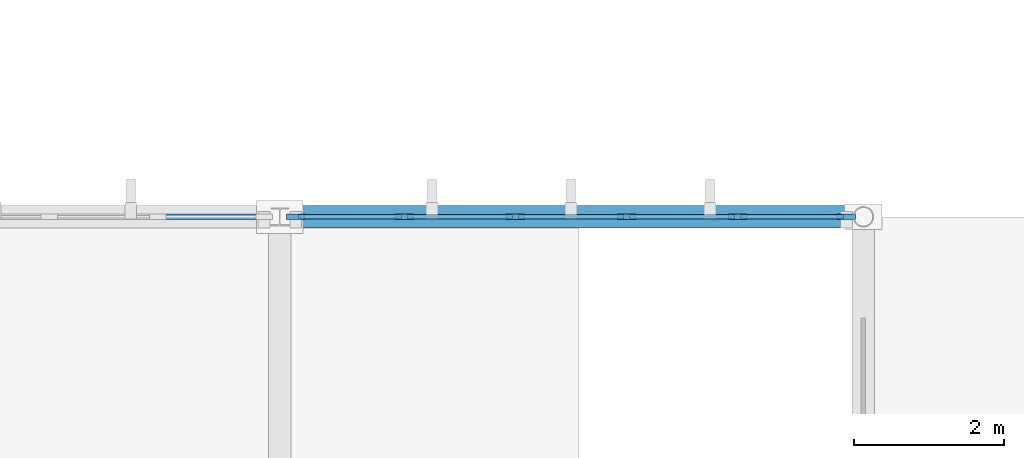
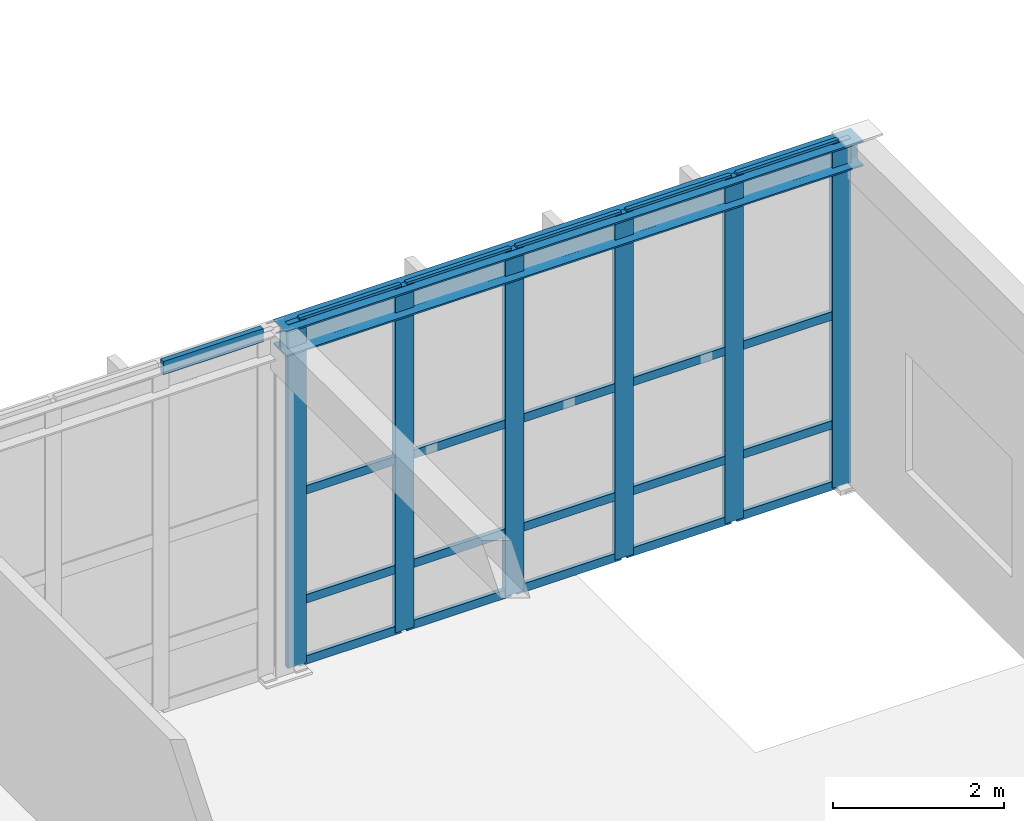
# One storey, part 45 of 110: 27 members, 1 beam, 2 elements without a shape of their own.
"""IFC4 building model written with IfcOpenShell, lengths in metres."""

from ifc_helpers import new_model, si_unit, direction, frame, origin, origin_2d, place, context, subcontext, project, spatial, rectangle, i_section, extrude, material, material_profile, profile_set, type_object, element, aggregate, save


model = new_model("IFC4")

# Units and contexts
model_context = context("Model", 3, precision=1e-05, world=origin(), true_north=direction((0.0, 1.0)))
body_context = subcontext(model_context, "Body", "Model", "MODEL_VIEW")
ifc_project = project(units=[si_unit("LENGTHUNIT", "METRE"), si_unit("AREAUNIT", "SQUARE_METRE"), si_unit("VOLUMEUNIT", "CUBIC_METRE"), si_unit("PLANEANGLEUNIT", "RADIAN"), si_unit("MASSUNIT", "GRAM", prefix="KILO")], contexts=[model_context])

# Site, building, storey
site_placement = place(None, origin())
site = spatial("IfcSite", under=ifc_project, at=site_placement, CompositionType="ELEMENT")
building_placement = place(site_placement, origin())
building = spatial("IfcBuilding", under=site, at=building_placement, Name="Tizgana Railside Sports Hall", CompositionType="ELEMENT")
storey_placement = place(building_placement, origin())
storey = spatial("IfcBuildingStorey", under=building, at=storey_placement, Name="L00", CompositionType="ELEMENT", Elevation=0.0)

# Curtain wall, members
ifc_material_1 = material(Name="Anodised aluminium and glass", Category="aluminium")
curtain_wall_type_1 = type_object("IfcCurtainWallType", Name="Unitised Curtain Wall Passage 1800", PredefinedType="NOTDEFINED", material=ifc_material_1)
curtain_wall_1_placement = place(storey_placement, origin())
curtain_wall_1 = element("IfcCurtainWall", 1, at=curtain_wall_1_placement, inside=storey, type_object=curtain_wall_type_1, Name="L00 Curtain Wall CW-0149", PredefinedType="NOTDEFINED")
ifc_material_2 = material(Name="Anodised aluminium", Category="aluminium")
ifc_material_profile_1 = material_profile(ifc_material_2, rectangle(XDim=0.074951171875, YDim=0.25, at=origin_2d()), Name="Mullion 75x250")
ifc_profile_set_1 = profile_set([ifc_material_profile_1], Name="Anodised aluminium")
member_type_1 = type_object("IfcMemberType", Name="Mullion 75x250", PredefinedType="MULLION", material=ifc_profile_set_1)
member_1_placement = place(storey_placement, frame((23.612548828125, 98.39990234375, 0.044921875), z_axis=(0.0, 0.0, 1.0), x_axis=(0.0, 1.0, 0.0)))
member_1 = element("IfcMember", 2, at=member_1_placement, type_object=member_type_1, Name="CW-06 mullion 1", PredefinedType="MULLION", context=body_context, shape_type="SweptSolid", body=[
    extrude(rectangle(XDim=0.074951171875, YDim=0.25, at=origin_2d()), origin(), (0.0, 0.0, 1.0), 4.9150390625),
])
member_2_placement = place(storey_placement, frame((25.061767578125, 98.39990234375, 0.044921875), z_axis=(0.0, 0.0, 1.0), x_axis=(0.0, 1.0, 0.0)))
member_2 = element("IfcMember", 3, at=member_2_placement, type_object=member_type_1, Name="CW-06 mullion 2", PredefinedType="MULLION", context=body_context, shape_type="SweptSolid", body=[
    extrude(rectangle(XDim=0.074951171875, YDim=0.25, at=origin_2d()), origin(), (0.0, 0.0, 1.0), 4.9150390625),
])
member_3_placement = place(storey_placement, frame((26.54833984375, 98.39990234375, 0.044921875), z_axis=(0.0, 0.0, 1.0), x_axis=(0.0, 1.0, 0.0)))
member_3 = element("IfcMember", 4, at=member_3_placement, type_object=member_type_1, Name="CW-06 mullion 3", PredefinedType="MULLION", context=body_context, shape_type="SweptSolid", body=[
    extrude(rectangle(XDim=0.074951171875, YDim=0.25, at=origin_2d()), origin(), (0.0, 0.0, 1.0), 4.9150390625),
])
member_4_placement = place(storey_placement, frame((28.03515625, 98.39990234375, 0.044921875), z_axis=(0.0, 0.0, 1.0), x_axis=(0.0, 1.0, 0.0)))
member_4 = element("IfcMember", 5, at=member_4_placement, type_object=member_type_1, Name="CW-06 mullion 4", PredefinedType="MULLION", context=body_context, shape_type="SweptSolid", body=[
    extrude(rectangle(XDim=0.074951171875, YDim=0.25, at=origin_2d()), origin(), (0.0, 0.0, 1.0), 4.9150390625),
])
member_5_placement = place(storey_placement, frame((29.521728515625, 98.39990234375, 0.044921875), z_axis=(0.0, 0.0, 1.0), x_axis=(0.0, 1.0, 0.0)))
member_5 = element("IfcMember", 6, at=member_5_placement, type_object=member_type_1, Name="CW-06 mullion 5", PredefinedType="MULLION", context=body_context, shape_type="SweptSolid", body=[
    extrude(rectangle(XDim=0.074951171875, YDim=0.25, at=origin_2d()), origin(), (0.0, 0.0, 1.0), 4.9150390625),
])
member_6_placement = place(storey_placement, frame((30.970947265625, 98.39990234375, 0.044921875), z_axis=(0.0, 0.0, 1.0), x_axis=(0.0, 1.0, 0.0)))
member_6 = element("IfcMember", 7, at=member_6_placement, type_object=member_type_1, Name="CW-06 mullion 6", PredefinedType="MULLION", context=body_context, shape_type="SweptSolid", body=[
    extrude(rectangle(XDim=0.074951171875, YDim=0.25, at=origin_2d()), origin(), (0.0, 0.0, 1.0), 4.9150390625),
])

# Beam
ifc_material_3 = material(Name="Steel S355J2", Category="steel")
ifc_material_profile_2 = material_profile(ifc_material_3, i_section(OverallWidth=0.300048828125, OverallDepth=0.360107421875, WebThickness=0.012451171875, FlangeThickness=0.0224609375, FilletRadius=0.027099609375, at=origin_2d()), Name="HEB 360")
ifc_profile_set_2 = profile_set([ifc_material_profile_2], Name="Steel S355J2")
beam_type = type_object("IfcBeamType", Name="Steel Beam HEB 360", PredefinedType="BEAM", material=ifc_profile_set_2)
beam_placement = place(storey_placement, frame((23.39990234375, 98.39990234375, 4.77587890625), z_axis=(1.0, 0.0, 0.0), x_axis=(0.0, 1.0, 0.0)))
element("IfcBeam", 8, at=beam_placement, inside=storey, type_object=beam_type, Name="L00 BEM-1327", PredefinedType="BEAM", context=body_context, shape_type="SweptSolid", body=[
    extrude(i_section(OverallWidth=0.300048828125, OverallDepth=0.360107421875, WebThickness=0.012451171875, FlangeThickness=0.0224609375, FilletRadius=0.027099609375, at=origin_2d()), origin(), (0.0, 0.0, 1.0), 7.800048828125),
])

# Member
ifc_material_profile_3 = material_profile(ifc_material_2, rectangle(XDim=0.054931640625, YDim=0.1201171875, at=origin_2d()), Name="Transom 55x120")
ifc_profile_set_3 = profile_set([ifc_material_profile_3], Name="Anodised aluminium")
member_type_2 = type_object("IfcMemberType", Name="Transom 55x120", PredefinedType="USERDEFINED", material=ifc_profile_set_3)
member_7_placement = place(storey_placement, frame((23.64990234375, 98.39990234375, 0.072509765625), z_axis=(1.0, 0.0, 0.0), x_axis=(0.0, 1.0, 0.0)))
member_7 = element("IfcMember", 9, at=member_7_placement, type_object=member_type_2, Name="CW-06 transom 1.1", ObjectType="TRANSOM", PredefinedType="USERDEFINED", context=body_context, shape_type="SweptSolid", body=[
    extrude(rectangle(XDim=0.054931640625, YDim=0.1201171875, at=origin_2d()), origin(), (0.0, 0.0, 1.0), 1.374267578125),
])

member_8_placement = place(storey_placement, frame((23.64990234375, 98.39990234375, 0.945068359375), z_axis=(1.0, 0.0, 0.0), x_axis=(0.0, 1.0, 0.0)))
member_8 = element("IfcMember", 10, at=member_8_placement, type_object=member_type_2, Name="CW-06 transom 1.2", ObjectType="TRANSOM", PredefinedType="USERDEFINED", context=body_context, shape_type="SweptSolid", body=[
    extrude(rectangle(XDim=0.054931640625, YDim=0.1201171875, at=origin_2d()), origin(), (0.0, 0.0, 1.0), 1.374267578125),
])

member_9_placement = place(storey_placement, frame((23.64990234375, 98.39990234375, 2.50244140625), z_axis=(1.0, 0.0, 0.0), x_axis=(0.0, 1.0, 0.0)))
member_9 = element("IfcMember", 11, at=member_9_placement, type_object=member_type_2, Name="CW-06 transom 1.3", ObjectType="TRANSOM", PredefinedType="USERDEFINED", context=body_context, shape_type="SweptSolid", body=[
    extrude(rectangle(XDim=0.054931640625, YDim=0.1201171875, at=origin_2d()), origin(), (0.0, 0.0, 1.0), 1.374267578125),
])

member_10_placement = place(storey_placement, frame((23.64990234375, 98.39990234375, 4.9326171875), z_axis=(1.0, 0.0, 0.0), x_axis=(0.0, 1.0, 0.0)))
member_10 = element("IfcMember", 12, at=member_10_placement, type_object=member_type_2, Name="CW-06 transom 1.4", ObjectType="TRANSOM", PredefinedType="USERDEFINED", context=body_context, shape_type="SweptSolid", body=[
    extrude(rectangle(XDim=0.054931640625, YDim=0.1201171875, at=origin_2d()), origin(), (0.0, 0.0, 1.0), 1.374267578125),
])

member_11_placement = place(storey_placement, frame((25.09912109375, 98.39990234375, 0.072509765625), z_axis=(1.0, 0.0, 0.0), x_axis=(0.0, 1.0, 0.0)))
member_11 = element("IfcMember", 13, at=member_11_placement, type_object=member_type_2, Name="CW-06 transom 2.1", ObjectType="TRANSOM", PredefinedType="USERDEFINED", context=body_context, shape_type="SweptSolid", body=[
    extrude(rectangle(XDim=0.054931640625, YDim=0.1201171875, at=origin_2d()), origin(), (0.0, 0.0, 1.0), 1.411865234375),
])

member_12_placement = place(storey_placement, frame((25.09912109375, 98.39990234375, 0.945068359375), z_axis=(1.0, 0.0, 0.0), x_axis=(0.0, 1.0, 0.0)))
member_12 = element("IfcMember", 14, at=member_12_placement, type_object=member_type_2, Name="CW-06 transom 2.2", ObjectType="TRANSOM", PredefinedType="USERDEFINED", context=body_context, shape_type="SweptSolid", body=[
    extrude(rectangle(XDim=0.054931640625, YDim=0.1201171875, at=origin_2d()), origin(), (0.0, 0.0, 1.0), 1.411865234375),
])

member_13_placement = place(storey_placement, frame((25.09912109375, 98.39990234375, 2.50244140625), z_axis=(1.0, 0.0, 0.0), x_axis=(0.0, 1.0, 0.0)))
member_13 = element("IfcMember", 15, at=member_13_placement, type_object=member_type_2, Name="CW-06 transom 2.3", ObjectType="TRANSOM", PredefinedType="USERDEFINED", context=body_context, shape_type="SweptSolid", body=[
    extrude(rectangle(XDim=0.054931640625, YDim=0.1201171875, at=origin_2d()), origin(), (0.0, 0.0, 1.0), 1.411865234375),
])

member_14_placement = place(storey_placement, frame((25.09912109375, 98.39990234375, 4.9326171875), z_axis=(1.0, 0.0, 0.0), x_axis=(0.0, 1.0, 0.0)))
member_14 = element("IfcMember", 16, at=member_14_placement, type_object=member_type_2, Name="CW-06 transom 2.4", ObjectType="TRANSOM", PredefinedType="USERDEFINED", context=body_context, shape_type="SweptSolid", body=[
    extrude(rectangle(XDim=0.054931640625, YDim=0.1201171875, at=origin_2d()), origin(), (0.0, 0.0, 1.0), 1.411865234375),
])

member_15_placement = place(storey_placement, frame((26.5859375, 98.39990234375, 0.072509765625), z_axis=(1.0, 0.0, 0.0), x_axis=(0.0, 1.0, 0.0)))
member_15 = element("IfcMember", 17, at=member_15_placement, type_object=member_type_2, Name="CW-06 transom 3.1", ObjectType="TRANSOM", PredefinedType="USERDEFINED", context=body_context, shape_type="SweptSolid", body=[
    extrude(rectangle(XDim=0.054931640625, YDim=0.1201171875, at=origin_2d()), origin(), (0.0, 0.0, 1.0), 1.41162109375),
])

member_16_placement = place(storey_placement, frame((26.5859375, 98.39990234375, 0.945068359375), z_axis=(1.0, 0.0, 0.0), x_axis=(0.0, 1.0, 0.0)))
member_16 = element("IfcMember", 18, at=member_16_placement, type_object=member_type_2, Name="CW-06 transom 3.2", ObjectType="TRANSOM", PredefinedType="USERDEFINED", context=body_context, shape_type="SweptSolid", body=[
    extrude(rectangle(XDim=0.054931640625, YDim=0.1201171875, at=origin_2d()), origin(), (0.0, 0.0, 1.0), 1.41162109375),
])

member_17_placement = place(storey_placement, frame((26.5859375, 98.39990234375, 2.50244140625), z_axis=(1.0, 0.0, 0.0), x_axis=(0.0, 1.0, 0.0)))
member_17 = element("IfcMember", 19, at=member_17_placement, type_object=member_type_2, Name="CW-06 transom 3.3", ObjectType="TRANSOM", PredefinedType="USERDEFINED", context=body_context, shape_type="SweptSolid", body=[
    extrude(rectangle(XDim=0.054931640625, YDim=0.1201171875, at=origin_2d()), origin(), (0.0, 0.0, 1.0), 1.41162109375),
])

member_18_placement = place(storey_placement, frame((26.5859375, 98.39990234375, 4.9326171875), z_axis=(1.0, 0.0, 0.0), x_axis=(0.0, 1.0, 0.0)))
member_18 = element("IfcMember", 20, at=member_18_placement, type_object=member_type_2, Name="CW-06 transom 3.4", ObjectType="TRANSOM", PredefinedType="USERDEFINED", context=body_context, shape_type="SweptSolid", body=[
    extrude(rectangle(XDim=0.054931640625, YDim=0.1201171875, at=origin_2d()), origin(), (0.0, 0.0, 1.0), 1.41162109375),
])

member_19_placement = place(storey_placement, frame((28.072509765625, 98.39990234375, 0.072509765625), z_axis=(1.0, 0.0, 0.0), x_axis=(0.0, 1.0, 0.0)))
member_19 = element("IfcMember", 21, at=member_19_placement, type_object=member_type_2, Name="CW-06 transom 4.1", ObjectType="TRANSOM", PredefinedType="USERDEFINED", context=body_context, shape_type="SweptSolid", body=[
    extrude(rectangle(XDim=0.054931640625, YDim=0.1201171875, at=origin_2d()), origin(), (0.0, 0.0, 1.0), 1.411865234375),
])

member_20_placement = place(storey_placement, frame((28.072509765625, 98.39990234375, 0.945068359375), z_axis=(1.0, 0.0, 0.0), x_axis=(0.0, 1.0, 0.0)))
member_20 = element("IfcMember", 22, at=member_20_placement, type_object=member_type_2, Name="CW-06 transom 4.2", ObjectType="TRANSOM", PredefinedType="USERDEFINED", context=body_context, shape_type="SweptSolid", body=[
    extrude(rectangle(XDim=0.054931640625, YDim=0.1201171875, at=origin_2d()), origin(), (0.0, 0.0, 1.0), 1.411865234375),
])

member_21_placement = place(storey_placement, frame((28.072509765625, 98.39990234375, 2.50244140625), z_axis=(1.0, 0.0, 0.0), x_axis=(0.0, 1.0, 0.0)))
member_21 = element("IfcMember", 23, at=member_21_placement, type_object=member_type_2, Name="CW-06 transom 4.3", ObjectType="TRANSOM", PredefinedType="USERDEFINED", context=body_context, shape_type="SweptSolid", body=[
    extrude(rectangle(XDim=0.054931640625, YDim=0.1201171875, at=origin_2d()), origin(), (0.0, 0.0, 1.0), 1.411865234375),
])

member_22_placement = place(storey_placement, frame((28.072509765625, 98.39990234375, 4.9326171875), z_axis=(1.0, 0.0, 0.0), x_axis=(0.0, 1.0, 0.0)))
member_22 = element("IfcMember", 24, at=member_22_placement, type_object=member_type_2, Name="CW-06 transom 4.4", ObjectType="TRANSOM", PredefinedType="USERDEFINED", context=body_context, shape_type="SweptSolid", body=[
    extrude(rectangle(XDim=0.054931640625, YDim=0.1201171875, at=origin_2d()), origin(), (0.0, 0.0, 1.0), 1.411865234375),
])

member_23_placement = place(storey_placement, frame((29.559326171875, 98.39990234375, 0.072509765625), z_axis=(1.0, 0.0, 0.0), x_axis=(0.0, 1.0, 0.0)))
member_23 = element("IfcMember", 25, at=member_23_placement, type_object=member_type_2, Name="CW-06 transom 5.1", ObjectType="TRANSOM", PredefinedType="USERDEFINED", context=body_context, shape_type="SweptSolid", body=[
    extrude(rectangle(XDim=0.054931640625, YDim=0.1201171875, at=origin_2d()), origin(), (0.0, 0.0, 1.0), 1.374267578125),
])

member_24_placement = place(storey_placement, frame((29.559326171875, 98.39990234375, 0.945068359375), z_axis=(1.0, 0.0, 0.0), x_axis=(0.0, 1.0, 0.0)))
member_24 = element("IfcMember", 26, at=member_24_placement, type_object=member_type_2, Name="CW-06 transom 5.2", ObjectType="TRANSOM", PredefinedType="USERDEFINED", context=body_context, shape_type="SweptSolid", body=[
    extrude(rectangle(XDim=0.054931640625, YDim=0.1201171875, at=origin_2d()), origin(), (0.0, 0.0, 1.0), 1.374267578125),
])

member_25_placement = place(storey_placement, frame((29.559326171875, 98.39990234375, 2.50244140625), z_axis=(1.0, 0.0, 0.0), x_axis=(0.0, 1.0, 0.0)))
member_25 = element("IfcMember", 27, at=member_25_placement, type_object=member_type_2, Name="CW-06 transom 5.3", ObjectType="TRANSOM", PredefinedType="USERDEFINED", context=body_context, shape_type="SweptSolid", body=[
    extrude(rectangle(XDim=0.054931640625, YDim=0.1201171875, at=origin_2d()), origin(), (0.0, 0.0, 1.0), 1.374267578125),
])

member_26_placement = place(storey_placement, frame((29.559326171875, 98.39990234375, 4.9326171875), z_axis=(1.0, 0.0, 0.0), x_axis=(0.0, 1.0, 0.0)))
member_26 = element("IfcMember", 28, at=member_26_placement, type_object=member_type_2, Name="CW-06 transom 5.4", ObjectType="TRANSOM", PredefinedType="USERDEFINED", context=body_context, shape_type="SweptSolid", body=[
    extrude(rectangle(XDim=0.054931640625, YDim=0.1201171875, at=origin_2d()), origin(), (0.0, 0.0, 1.0), 1.374267578125),
])

aggregate(curtain_wall_1, [member_1, member_2, member_3, member_4, member_5, member_6, member_7, member_8, member_9, member_10, member_11, member_12, member_13, member_14, member_15, member_16, member_17, member_18, member_19, member_20, member_21, member_22, member_23, member_24, member_25, member_26])

# Curtain wall, member
curtain_wall_type_2 = type_object("IfcCurtainWallType", Name="Unitised Curtain Wall Clinic 1200", PredefinedType="NOTDEFINED", material=ifc_material_1)
curtain_wall_2_placement = place(storey_placement, origin())
curtain_wall_2 = element("IfcCurtainWall", 29, at=curtain_wall_2_placement, inside=storey, type_object=curtain_wall_type_2, Name="L00 Curtain Wall CW-0148", PredefinedType="NOTDEFINED")
ifc_material_profile_4 = material_profile(ifc_material_2, rectangle(XDim=0.070068359375, YDim=0.18994140625, at=origin_2d()), Name="Transom 70x190")
ifc_profile_set_4 = profile_set([ifc_material_profile_4], Name="Anodised aluminium")
member_type_3 = type_object("IfcMemberType", Name="Transom 70x190", PredefinedType="USERDEFINED", material=ifc_profile_set_4)
member_27_placement = place(storey_placement, frame((21.805908203125, 98.39990234375, 4.925048828125), z_axis=(1.0, 0.0, 0.0), x_axis=(0.0, 1.0, 0.0)))
member_27 = element("IfcMember", 30, at=member_27_placement, type_object=member_type_3, Name="CW-05 transom 5.4", ObjectType="TRANSOM", PredefinedType="USERDEFINED", context=body_context, shape_type="SweptSolid", body=[
    extrude(rectangle(XDim=0.070068359375, YDim=0.18994140625, at=origin_2d()), origin(), (0.0, 0.0, 1.0), 1.34912109375),
])
aggregate(curtain_wall_2, [member_27])

save(model, "model.ifc")
